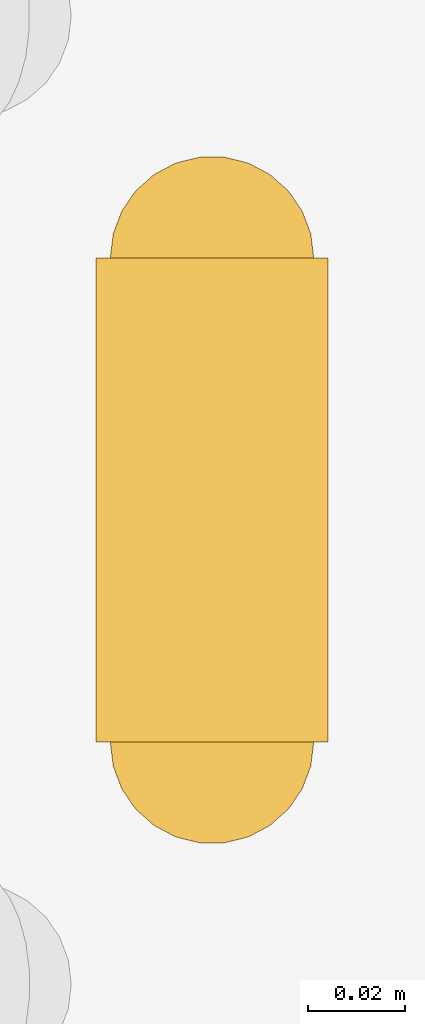
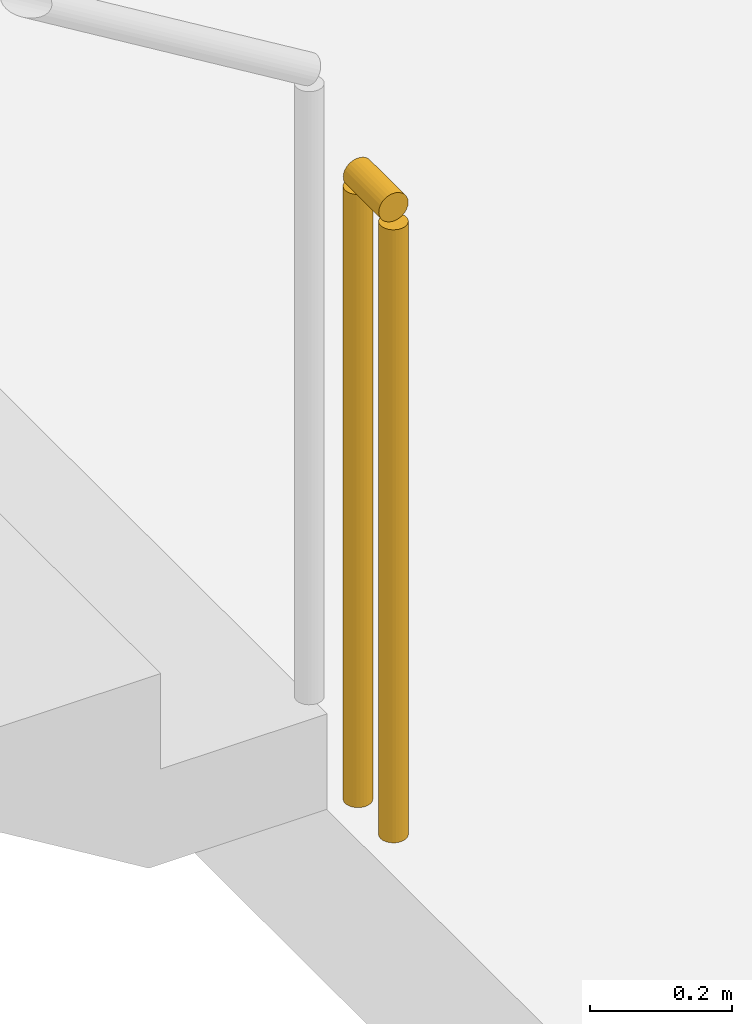
# One storey, part 15 of 16: 1 railing.
"""IFC4 building model written with IfcOpenShell, lengths in metres."""

from ifc_helpers import new_model, si_unit, direction, frame, origin, origin_2d, place, context, subcontext, project, spatial, circle, extrude, material, type_object, element, save


model = new_model("IFC4")

# Units and contexts
model_context = context("Model", 3, precision=1e-05, world=origin(), true_north=direction((0.0, 1.0)))
body_context = subcontext(model_context, "Body", "Model", "MODEL_VIEW")
ifc_project = project(units=[si_unit("LENGTHUNIT", "METRE"), si_unit("AREAUNIT", "SQUARE_METRE"), si_unit("VOLUMEUNIT", "CUBIC_METRE"), si_unit("PLANEANGLEUNIT", "RADIAN"), si_unit("MASSUNIT", "GRAM", prefix="KILO")], contexts=[model_context])

# Site, building, storey
site_placement = place(None, origin())
site = spatial("IfcSite", under=ifc_project, at=site_placement, CompositionType="ELEMENT")
building_placement = place(site_placement, origin())
building = spatial("IfcBuilding", under=site, at=building_placement, Name="Vermilion Reach Broadcast Tower", CompositionType="ELEMENT")
storey_placement = place(building_placement, frame((0.0, 0.0, 103.0)))
storey = spatial("IfcBuildingStorey", under=building, at=storey_placement, Name="L23", CompositionType="ELEMENT", Elevation=103.0)

# Railing
ifc_material = material(Name="Stainless steel", Category="steel")
railing_type = type_object("IfcRailingType", Name="Stair guard 1100", PredefinedType="GUARDRAIL", material=ifc_material)
railing_placement = place(storey_placement, frame((-0.949951171875, 5.639892578125, 0.0)))
element("IfcRailing", 1, at=railing_placement, inside=storey, type_object=railing_type, Name="L23 ST2 stair guard 4", PredefinedType="GUARDRAIL", context=body_context, shape_type="SweptSolid", body=[
    extrude(circle(Radius=0.02392578125, at=origin_2d()), frame((0.0, 0.0, 1.076171875), z_axis=(0.0, -1.0, 0.0), x_axis=(1.0, 0.0, 0.0)), (0.0, 0.0, 1.0), 0.099853515625),
    extrude(circle(Radius=0.02099609375, at=origin_2d()), origin(), (0.0, 0.0, 1.0), 1.052001953125),
    extrude(circle(Radius=0.02099609375, at=origin_2d()), frame((0.0, -0.099853515625, 0.0)), (0.0, 0.0, 1.0), 1.052001953125),
])

save(model, "model.ifc")
